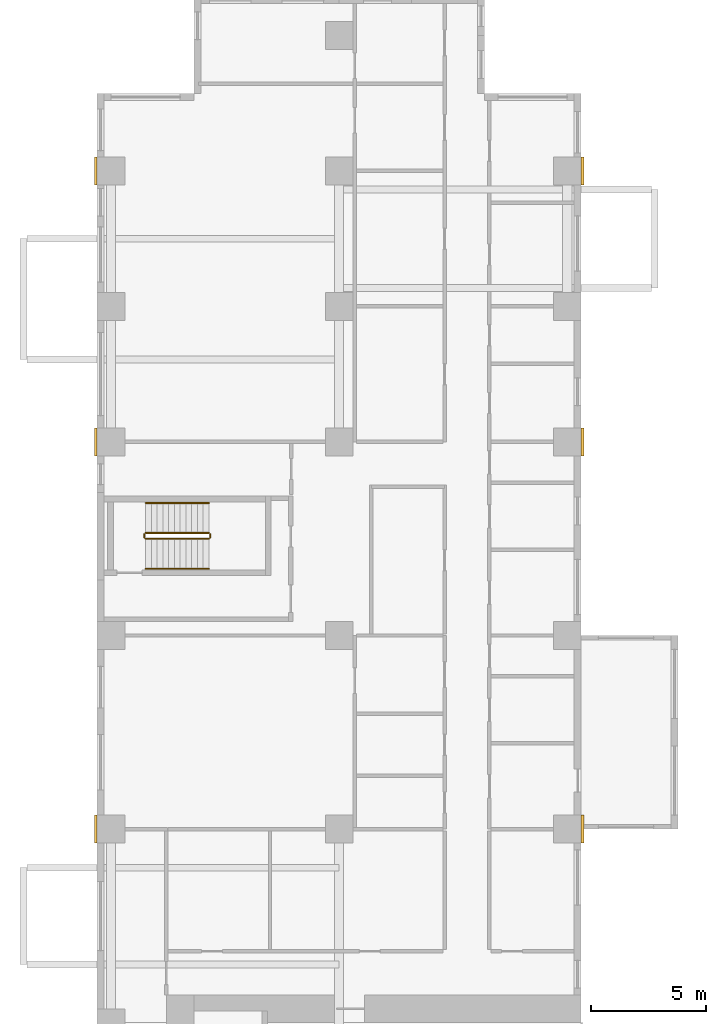
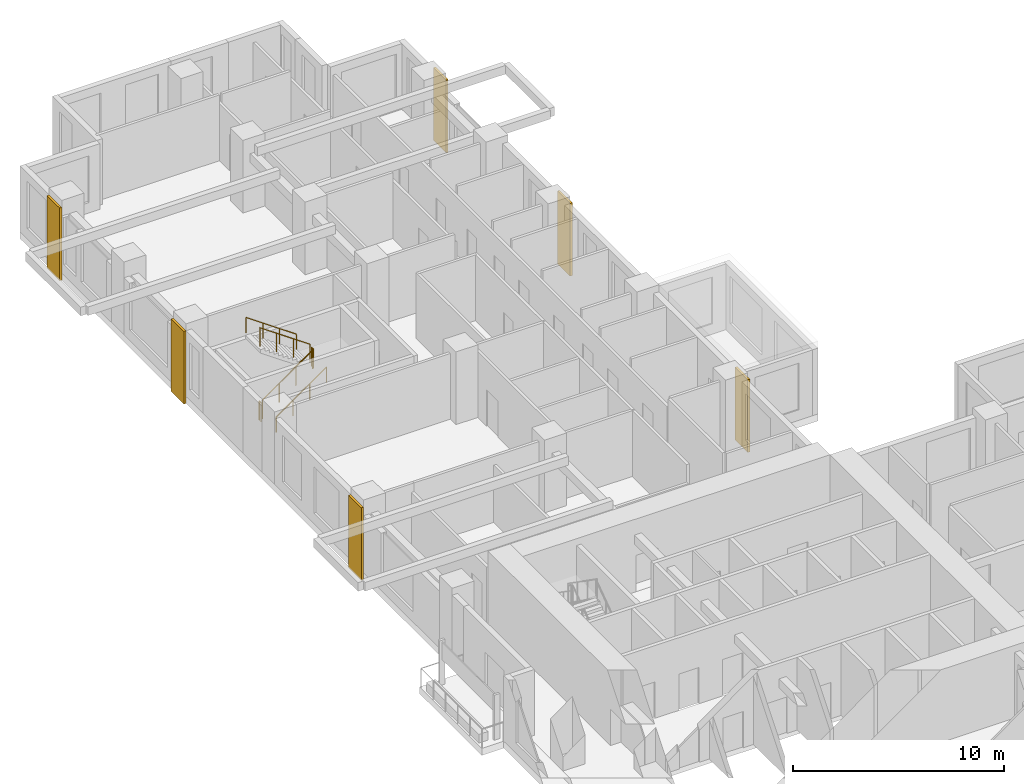
# One storey, part 13 of 14: 6 coverings, 6 railings.
"""IFC4 building model written with IfcOpenShell, lengths in metres."""

from ifc_helpers import new_model, si_unit, direction, frame, origin, origin_2d, place, context, subcontext, project, spatial, rectangle, circle, extrude, source, transform, mapped, material, type_object, element, save


model = new_model("IFC4")

# Units and contexts
model_context = context("Model", 3, precision=1e-05, world=origin(), true_north=direction((0.0, 1.0)))
body_context = subcontext(model_context, "Body", "Model", "MODEL_VIEW")
ifc_project = project(units=[si_unit("LENGTHUNIT", "METRE"), si_unit("AREAUNIT", "SQUARE_METRE"), si_unit("VOLUMEUNIT", "CUBIC_METRE"), si_unit("PLANEANGLEUNIT", "RADIAN"), si_unit("MASSUNIT", "GRAM", prefix="KILO")], contexts=[model_context])

# Site, building, storey
site_placement = place(None, origin())
site = spatial("IfcSite", under=ifc_project, at=site_placement, CompositionType="ELEMENT")
building_placement = place(site_placement, origin())
building = spatial("IfcBuilding", under=site, at=building_placement, Name="Aurelian Terraces", CompositionType="ELEMENT")
storey_placement = place(building_placement, frame((0.0, 0.0, 53.1)))
storey = spatial("IfcBuildingStorey", under=building, at=storey_placement, Name="L10", CompositionType="ELEMENT", Elevation=53.1)

# Coverings
ifc_material_1 = material(Name="Terracotta rainscreen cladding relief", Category="masonry")
covering_type = type_object("IfcCoveringType", Name="BAGUETTE-TC", PredefinedType="CLADDING", material=ifc_material_1)
shared_shape_1 = source(origin(), body_context, "Body", "SweptSolid", [
    extrude(rectangle(XDim=0.12, YDim=1.2, at=origin_2d()), origin(), (0.0, 0.0, 1.0), 4.2),
])
for number, where, z_axis, x_axis, name in (
    (1, (-0.06, 29.4, -0.4), (0.0, 0.0, 1.0), (1.0, 0.0, 0.0), "BAGUETTE pier L10 8"),
    (2, (21.06, 29.4, -0.4), (0.0, 0.0, 1.0), (1.0, 0.0, 0.0), "BAGUETTE pier L10 9"),
    (3, (-0.06, 46.2, -0.4), (0.0, 0.0, 1.0), (1.0, 0.0, 0.0), "BAGUETTE pier L10 10"),
    (4, (21.06, 46.2, -0.4), (0.0, 0.0, 1.0), (1.0, 0.0, 0.0), "BAGUETTE pier L10 11"),
    (5, (-0.06, 57.96, -0.4), (0.0, 0.0, 1.0), (1.0, 0.0, 0.0), "BAGUETTE pier L10 12"),
    (6, (21.06, 57.96, -0.4), (0.0, 0.0, 1.0), (1.0, 0.0, 0.0), "BAGUETTE pier L10 13"),
):
    element("IfcCovering", number, at=place(storey_placement, frame(where, z_axis=z_axis, x_axis=x_axis)), inside=storey, type_object=covering_type, Name=name, PredefinedType="CLADDING", context=body_context, shape_type="MappedRepresentation", body=[
        mapped(shared_shape_1, transform((0.0, 0.0, 0.0), scale=1.0)),
    ])

# Railings
ifc_material_2 = material(Name="Stainless steel", Category="steel")
railing_type_1 = type_object("IfcRailingType", Name="Stair guard 1100", PredefinedType="GUARDRAIL", material=ifc_material_2)
shared_shape_2 = source(origin(), body_context, "Body", "SweptSolid", [
    extrude(circle(Radius=0.024, at=origin_2d()), frame((0.0, 0.0, 1.076), z_axis=(0.0, 1.0, 0.0), x_axis=(-1.0, 0.0, 0.0)), (0.0, 0.0, 1.0), 0.15),
    extrude(circle(Radius=0.021, at=origin_2d()), origin(), (0.0, 0.0, 1.0), 1.052),
    extrude(circle(Radius=0.021, at=origin_2d()), frame((0.0, 0.15, 0.0)), (0.0, 0.0, 1.0), 1.052),
])
for number, where, name in (
    (7, (4.9, 42.05, 2.1), "L10 S3 stair guard 2"),
    (8, (2.05, 42.05, 0.0), "L10 S3 stair guard 4"),
):
    element("IfcRailing", number, at=place(storey_placement, frame(where)), inside=storey, type_object=railing_type_1, Name=name, PredefinedType="GUARDRAIL", context=body_context, shape_type="MappedRepresentation", body=[
        mapped(shared_shape_2, transform((0.0, 0.0, 0.0), scale=1.0)),
    ])
shared_shape_3 = source(origin(), body_context, "Body", "SweptSolid", [
    extrude(circle(Radius=0.024, at=origin_2d()), frame((0.0, 0.0, 1.076), z_axis=(0.819231920519, 0.0, 0.573462344363), x_axis=(0.0, 1.0, 0.0)), (0.0, 0.0, 1.0), 3.3568),
    extrude(circle(Radius=0.021, at=origin_2d()), origin(), (0.0, 0.0, 1.0), 1.052),
    extrude(circle(Radius=0.021, at=origin_2d()), frame((0.9167, 0.0, 0.6417)), (0.0, 0.0, 1.0), 1.052),
    extrude(circle(Radius=0.021, at=origin_2d()), frame((1.8333, 0.0, 1.2833)), (0.0, 0.0, 1.0), 1.052),
    extrude(circle(Radius=0.021, at=origin_2d()), frame((2.75, 0.0, 1.925)), (0.0, 0.0, 1.0), 1.052),
])
railing_1_placement = place(storey_placement, frame((2.1, 42.0, 0.175)))
element("IfcRailing", 9, at=railing_1_placement, inside=storey, type_object=railing_type_1, Name="L10 S3 stair guard 1", PredefinedType="GUARDRAIL", context=body_context, shape_type="MappedRepresentation", body=[
    mapped(shared_shape_3, transform((0.0, 0.0, 0.0), scale=1.0)),
])
shared_shape_4 = source(origin(), body_context, "Body", "SweptSolid", [
    extrude(circle(Radius=0.024, at=origin_2d()), frame((0.0, 0.0, 1.076), z_axis=(-0.819231920519, 0.0, 0.573462344363), x_axis=(0.0, -1.0, 0.0)), (0.0, 0.0, 1.0), 3.3568),
    extrude(circle(Radius=0.021, at=origin_2d()), origin(), (0.0, 0.0, 1.0), 1.052),
    extrude(circle(Radius=0.021, at=origin_2d()), frame((-0.9167, 0.0, 0.6417)), (0.0, 0.0, 1.0), 1.052),
    extrude(circle(Radius=0.021, at=origin_2d()), frame((-1.8333, 0.0, 1.2833)), (0.0, 0.0, 1.0), 1.052),
    extrude(circle(Radius=0.021, at=origin_2d()), frame((-2.75, 0.0, 1.925)), (0.0, 0.0, 1.0), 1.052),
])
railing_2_placement = place(storey_placement, frame((4.85, 42.25, 2.275)))
element("IfcRailing", 10, at=railing_2_placement, inside=storey, type_object=railing_type_1, Name="L10 S3 stair guard 3", PredefinedType="GUARDRAIL", context=body_context, shape_type="MappedRepresentation", body=[
    mapped(shared_shape_4, transform((0.0, 0.0, 0.0), scale=1.0)),
])
railing_type_2 = type_object("IfcRailingType", Name="Stair handrail", PredefinedType="HANDRAIL", material=ifc_material_2)
shared_shape_5 = source(origin(), body_context, "Body", "SweptSolid", [
    extrude(circle(Radius=0.024, at=origin_2d()), frame((0.0, 0.0, 0.876), z_axis=(0.819231920519, 0.0, 0.573462344363), x_axis=(0.0, 1.0, 0.0)), (0.0, 0.0, 1.0), 3.3568),
    extrude(circle(Radius=0.021, at=origin_2d()), origin(), (0.0, 0.0, 1.0), 0.852),
    extrude(circle(Radius=0.021, at=origin_2d()), frame((0.9167, 0.0, 0.6417)), (0.0, 0.0, 1.0), 0.852),
    extrude(circle(Radius=0.021, at=origin_2d()), frame((1.8333, 0.0, 1.2833)), (0.0, 0.0, 1.0), 0.852),
    extrude(circle(Radius=0.021, at=origin_2d()), frame((2.75, 0.0, 1.925)), (0.0, 0.0, 1.0), 0.852),
])
railing_3_placement = place(storey_placement, frame((2.1, 40.7, 0.175)))
element("IfcRailing", 11, at=railing_3_placement, inside=storey, type_object=railing_type_2, Name="L10 S3 stair handrail 1", PredefinedType="HANDRAIL", context=body_context, shape_type="MappedRepresentation", body=[
    mapped(shared_shape_5, transform((0.0, 0.0, 0.0), scale=1.0)),
])
shared_shape_6 = source(origin(), body_context, "Body", "SweptSolid", [
    extrude(circle(Radius=0.024, at=origin_2d()), frame((0.0, 0.0, 0.876), z_axis=(-0.819231920519, 0.0, 0.573462344363), x_axis=(0.0, -1.0, 0.0)), (0.0, 0.0, 1.0), 3.3568),
    extrude(circle(Radius=0.021, at=origin_2d()), origin(), (0.0, 0.0, 1.0), 0.852),
    extrude(circle(Radius=0.021, at=origin_2d()), frame((-0.9167, 0.0, 0.6417)), (0.0, 0.0, 1.0), 0.852),
    extrude(circle(Radius=0.021, at=origin_2d()), frame((-1.8333, 0.0, 1.2833)), (0.0, 0.0, 1.0), 0.852),
    extrude(circle(Radius=0.021, at=origin_2d()), frame((-2.75, 0.0, 1.925)), (0.0, 0.0, 1.0), 0.852),
])
railing_4_placement = place(storey_placement, frame((4.85, 43.55, 2.275)))
element("IfcRailing", 12, at=railing_4_placement, inside=storey, type_object=railing_type_2, Name="L10 S3 stair handrail 2", PredefinedType="HANDRAIL", context=body_context, shape_type="MappedRepresentation", body=[
    mapped(shared_shape_6, transform((0.0, 0.0, 0.0), scale=1.0)),
])

save(model, "model.ifc")
